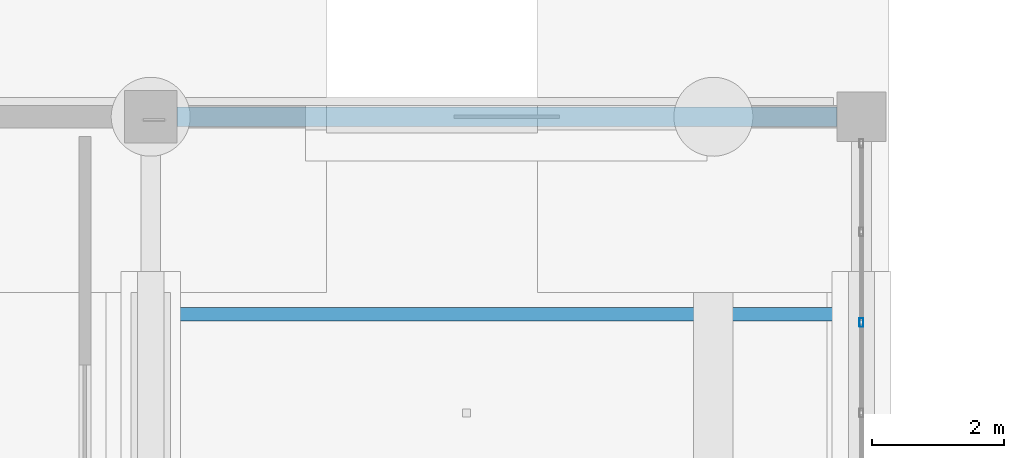
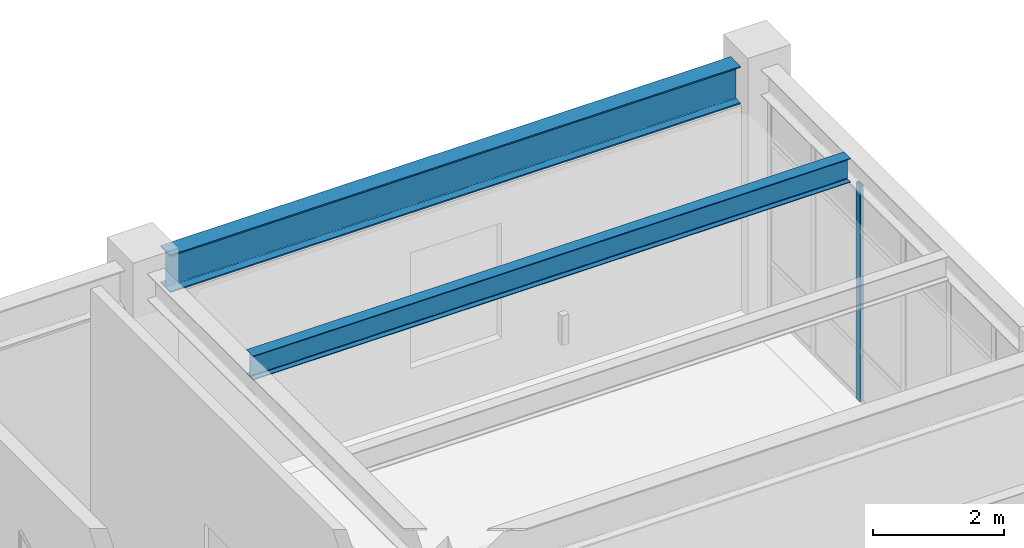
# One storey, part 51 of 98: 2 beams, 1 member, 1 element without a shape of its own.
"""IFC4 building model written with IfcOpenShell, lengths in metres."""

from ifc_helpers import new_model, si_unit, direction, frame, origin, origin_2d, place, context, subcontext, project, spatial, hollow_rectangle, i_section, extrude, material, material_profile, profile_set, type_object, element, aggregate, save


model = new_model("IFC4")

# Units and contexts
model_context = context("Model", 3, precision=1e-05, world=origin(), true_north=direction((0.0, 1.0)))
body_context = subcontext(model_context, "Body", "Model", "MODEL_VIEW")
ifc_project = project(units=[si_unit("LENGTHUNIT", "METRE"), si_unit("AREAUNIT", "SQUARE_METRE"), si_unit("VOLUMEUNIT", "CUBIC_METRE"), si_unit("PLANEANGLEUNIT", "RADIAN"), si_unit("MASSUNIT", "GRAM", prefix="KILO")], contexts=[model_context])

# Site, building, storey
site_placement = place(None, origin())
site = spatial("IfcSite", under=ifc_project, at=site_placement, CompositionType="ELEMENT")
building_placement = place(site_placement, origin())
building = spatial("IfcBuilding", under=site, at=building_placement, Name="Canglan Escarpment Cableway Terminal", CompositionType="ELEMENT")
storey_placement = place(building_placement, frame((0.0, 0.0, 9.60009765625)))
storey = spatial("IfcBuildingStorey", under=building, at=storey_placement, Name="L02", CompositionType="ELEMENT", Elevation=9.60009765625)

# Beam
ifc_material_1 = material(Name="Steel Q355C", Category="steel")
ifc_material_profile_1 = material_profile(ifc_material_1, i_section(OverallWidth=0.300048828125, OverallDepth=0.699951171875, WebThickness=0.012939453125, FlangeThickness=0.02392578125, FilletRadius=0.028076171875, at=origin_2d()), Name="HN 700x300x13x24")
ifc_profile_set_1 = profile_set([ifc_material_profile_1], Name="Steel Q355C")
beam_type_1 = type_object("IfcBeamType", Name="BM-HN700", PredefinedType="BEAM", material=ifc_profile_set_1)
beam_1_placement = place(storey_placement, frame((126.300048828125, 79.0, 4.169921875), z_axis=(1.0, 0.0, 0.0), x_axis=(0.0, 1.0, 0.0)))
element("IfcBeam", 1, at=beam_1_placement, inside=storey, type_object=beam_type_1, Name="Primary structural girder B-06", PredefinedType="BEAM", context=body_context, shape_type="SweptSolid", body=[
    extrude(i_section(OverallWidth=0.300048828125, OverallDepth=0.699951171875, WebThickness=0.012939453125, FlangeThickness=0.02392578125, FilletRadius=0.028076171875, at=origin_2d()), origin(), (0.0, 0.0, 1.0), 10.02490234375),
])

# Curtain wall, member
ifc_material_2 = material(Name="Anodized bronze aluminium and Low-E double glazing", Category="aluminium")
curtain_wall_type = type_object("IfcCurtainWallType", Name="CW-BAY-8250x4025", PredefinedType="NOTDEFINED", material=ifc_material_2)
curtain_wall_placement = place(storey_placement, origin())
curtain_wall = element("IfcCurtainWall", 2, at=curtain_wall_placement, inside=storey, type_object=curtain_wall_type, Name="Classical bay-between-piers glazed curtain wall CW-43", PredefinedType="NOTDEFINED")
ifc_material_3 = material(Name="Thermally broken anodized aluminium 6063-T6", Category="aluminium")
ifc_material_profile_2 = material_profile(ifc_material_3, hollow_rectangle(XDim=0.06005859375, YDim=0.1298828125, WallThickness=0.0029296875, InnerFilletRadius=0.0029296875, OuterFilletRadius=0.006103515625, at=origin_2d()), Name="ALU-MULL 60x130x3")
ifc_profile_set_2 = profile_set([ifc_material_profile_2], Name="Thermally broken anodized aluminium 6063-T6")
member_type = type_object("IfcMemberType", Name="CWM-01", PredefinedType="MULLION", material=ifc_profile_set_2)
member_placement = place(storey_placement, frame((136.699951171875, 75.875, 0.0), z_axis=(0.0, 0.0, 1.0), x_axis=(-1.0, 0.0, 0.0)))
member = element("IfcMember", 3, at=member_placement, type_object=member_type, Name="CW-43 mullion 5", PredefinedType="MULLION", context=body_context, shape_type="SweptSolid", body=[
    extrude(hollow_rectangle(XDim=0.06005859375, YDim=0.1298828125, WallThickness=0.0029296875, InnerFilletRadius=0.0029296875, OuterFilletRadius=0.006103515625, at=origin_2d()), origin(), (0.0, 0.0, 1.0), 4.016845703125),
])
aggregate(curtain_wall, [member])

# Beam
ifc_material_4 = material(Name="Steel Q355B", Category="steel")
ifc_material_profile_3 = material_profile(ifc_material_4, i_section(OverallWidth=0.199951171875, OverallDepth=0.449951171875, WebThickness=0.009033203125, FlangeThickness=0.013916015625, FilletRadius=0.01806640625, at=origin_2d()), Name="HN 450x200x9x14")
ifc_profile_set_3 = profile_set([ifc_material_profile_3], Name="Steel Q355B")
beam_type_2 = type_object("IfcBeamType", Name="JS-HN450", PredefinedType="JOIST", material=ifc_profile_set_3)
beam_2_placement = place(storey_placement, frame((126.050048828125, 76.0, 4.294921875), z_axis=(1.0, 0.0, 0.0), x_axis=(0.0, 1.0, 0.0)))
element("IfcBeam", 4, at=beam_2_placement, inside=storey, type_object=beam_type_2, Name="Secondary composite deck joist J-02", PredefinedType="JOIST", context=body_context, shape_type="SweptSolid", body=[
    extrude(i_section(OverallWidth=0.199951171875, OverallDepth=0.449951171875, WebThickness=0.009033203125, FlangeThickness=0.013916015625, FilletRadius=0.01806640625, at=origin_2d()), origin(), (0.0, 0.0, 1.0), 10.5),
])

save(model, "model.ifc")
